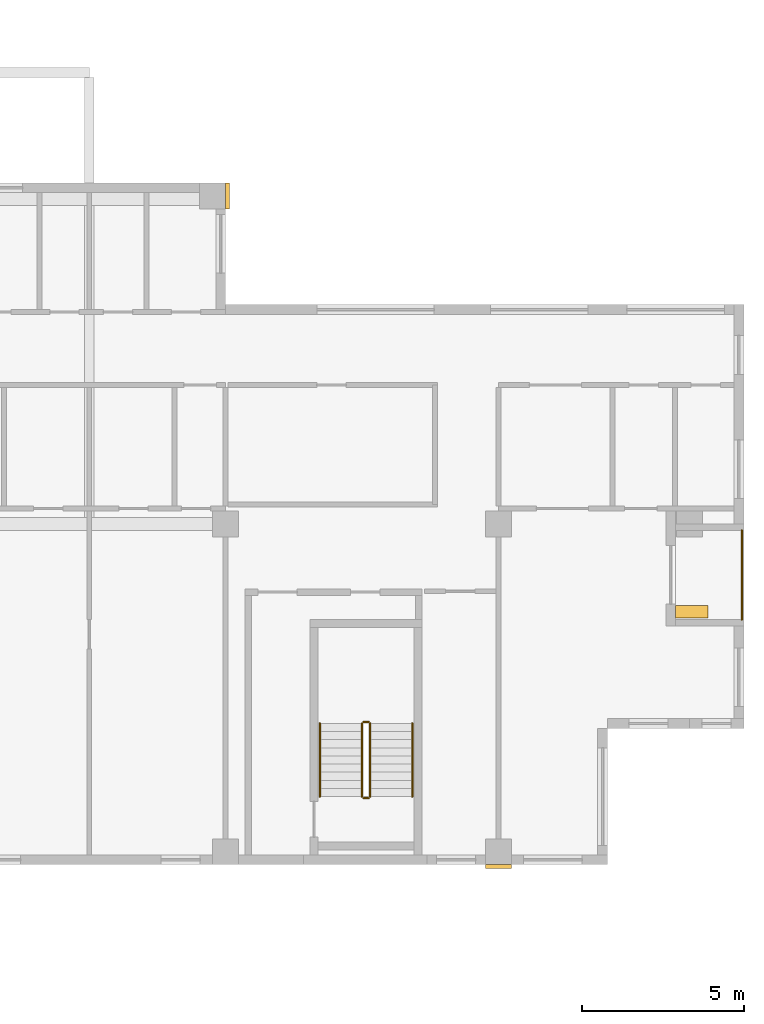
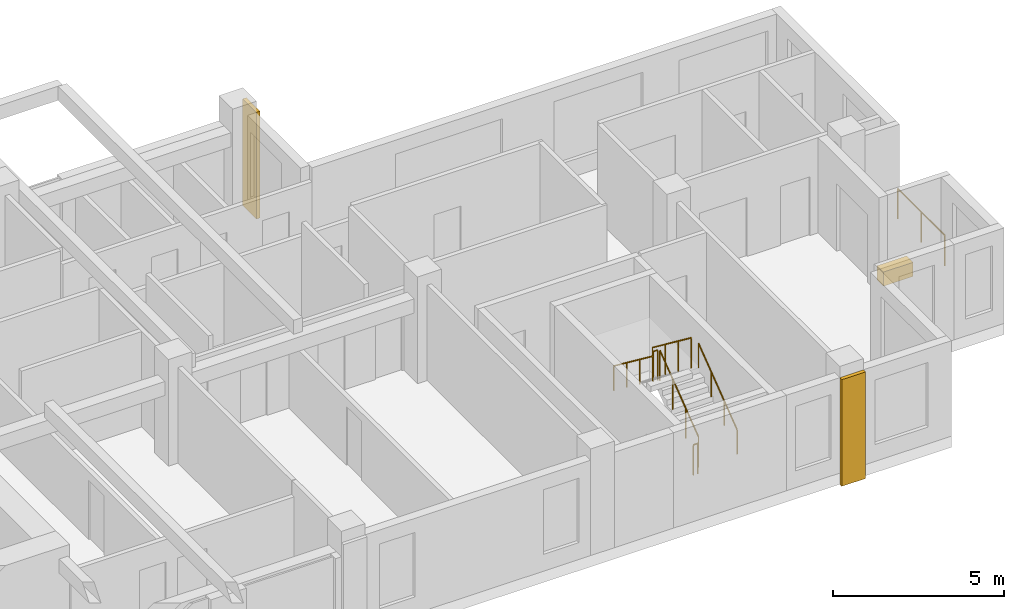
# One storey, part 11 of 12: 7 railings, 3 coverings.
"""IFC4 building model written with IfcOpenShell, lengths in metres."""

from ifc_helpers import new_model, si_unit, direction, frame, origin, origin_2d, place, context, subcontext, project, spatial, rectangle, circle, extrude, source, transform, mapped, material, type_object, element, save


model = new_model("IFC4")

# Units and contexts
model_context = context("Model", 3, precision=1e-05, world=origin(), true_north=direction((0.0, 1.0)))
body_context = subcontext(model_context, "Body", "Model", "MODEL_VIEW")
ifc_project = project(units=[si_unit("LENGTHUNIT", "METRE"), si_unit("AREAUNIT", "SQUARE_METRE"), si_unit("VOLUMEUNIT", "CUBIC_METRE"), si_unit("PLANEANGLEUNIT", "RADIAN"), si_unit("MASSUNIT", "GRAM", prefix="KILO")], contexts=[model_context])

# Site, building, storey
site_placement = place(None, origin())
site = spatial("IfcSite", under=ifc_project, at=site_placement, CompositionType="ELEMENT")
building_placement = place(site_placement, origin())
building = spatial("IfcBuilding", under=site, at=building_placement, Name="Aurelian Terraces", CompositionType="ELEMENT")
storey_placement = place(building_placement, frame((0.0, 0.0, 238.6)))
storey = spatial("IfcBuildingStorey", under=building, at=storey_placement, Name="L54", CompositionType="ELEMENT", Elevation=238.6)

# Railing
ifc_material_1 = material(Name="Anodised aluminium", Category="aluminium")
railing_type_1 = type_object("IfcRailingType", Name="GUARD-1100", PredefinedType="GUARDRAIL", material=ifc_material_1)
shared_shape_1 = source(origin(), body_context, "Body", "SweptSolid", [
    extrude(circle(Radius=0.024, at=origin_2d()), frame((0.0, 0.0, 1.076), z_axis=(0.0, 1.0, 0.0), x_axis=(-1.0, 0.0, 0.0)), (0.0, 0.0, 1.0), 2.75),
    extrude(circle(Radius=0.021, at=origin_2d()), origin(), (0.0, 0.0, 1.0), 1.052),
    extrude(circle(Radius=0.021, at=origin_2d()), frame((0.0, 1.375, 0.0)), (0.0, 0.0, 1.0), 1.052),
    extrude(circle(Radius=0.021, at=origin_2d()), frame((0.0, 2.75, 0.0)), (0.0, 0.0, 1.0), 1.052),
])
railing_1_placement = place(storey_placement, frame((53.7, 7.55, 0.05)))
element("IfcRailing", 1, at=railing_1_placement, inside=storey, type_object=railing_type_1, Name="Loggia guard L54 F04.12", PredefinedType="GUARDRAIL", context=body_context, shape_type="MappedRepresentation", body=[
    mapped(shared_shape_1, transform((0.0, 0.0, 0.0), scale=1.0)),
])

# Coverings
ifc_material_2 = material(Name="Terracotta planter with planting soil", Category="masonry")
covering_type_1 = type_object("IfcCoveringType", Name="PLANTER-TROUGH", PredefinedType="USERDEFINED", material=ifc_material_2)
shared_shape_2 = source(origin(), body_context, "Body", "SweptSolid", [
    extrude(rectangle(XDim=1.0, YDim=0.38, at=origin_2d()), origin(), (0.0, 0.0, 1.0), 0.5),
])
covering_1_placement = place(storey_placement, frame((52.16, 7.79, 0.0), z_axis=(0.0, 0.0, 1.0), x_axis=(1.0, 0.0, 0.0)))
element("IfcCovering", 2, at=covering_1_placement, inside=storey, type_object=covering_type_1, Name="PLANTER L54 L54-F04-12", ObjectType="PLANTER", PredefinedType="USERDEFINED", context=body_context, shape_type="MappedRepresentation", body=[
    mapped(shared_shape_2, transform((0.0, 0.0, 0.0), scale=1.0)),
])
ifc_material_3 = material(Name="Terracotta rainscreen cladding relief", Category="masonry")
covering_type_2 = type_object("IfcCoveringType", Name="BAGUETTE-TC", PredefinedType="CLADDING", material=ifc_material_3)
shared_shape_3 = source(origin(), body_context, "Body", "SweptSolid", [
    extrude(rectangle(XDim=0.8, YDim=0.12, at=origin_2d()), origin(), (0.0, 0.0, 1.0), 3.8),
])
covering_2_placement = place(storey_placement, frame((46.2, -0.06, -0.4), z_axis=(0.0, 0.0, 1.0), x_axis=(1.0, 0.0, 0.0)))
element("IfcCovering", 3, at=covering_2_placement, inside=storey, type_object=covering_type_2, Name="BAGUETTE pier L54 3", PredefinedType="CLADDING", context=body_context, shape_type="MappedRepresentation", body=[
    mapped(shared_shape_3, transform((0.0, 0.0, 0.0), scale=1.0)),
])
shared_shape_4 = source(origin(), body_context, "Body", "SweptSolid", [
    extrude(rectangle(XDim=0.12, YDim=0.8, at=origin_2d()), origin(), (0.0, 0.0, 1.0), 3.8),
])
covering_3_placement = place(storey_placement, frame((37.86, 20.6, -0.4), z_axis=(0.0, 0.0, 1.0), x_axis=(1.0, 0.0, 0.0)))
element("IfcCovering", 4, at=covering_3_placement, inside=storey, type_object=covering_type_2, Name="BAGUETTE pier L54 5", PredefinedType="CLADDING", context=body_context, shape_type="MappedRepresentation", body=[
    mapped(shared_shape_4, transform((0.0, 0.0, 0.0), scale=1.0)),
])

# Railings
ifc_material_4 = material(Name="Stainless steel", Category="steel")
railing_type_2 = type_object("IfcRailingType", Name="Stair guard 1100", PredefinedType="GUARDRAIL", material=ifc_material_4)
shared_shape_5 = source(origin(), body_context, "Body", "SweptSolid", [
    extrude(circle(Radius=0.024, at=origin_2d()), frame((0.0, 0.0, 1.076), z_axis=(-1.0, 0.0, 0.0), x_axis=(0.0, -1.0, 0.0)), (0.0, 0.0, 1.0), 0.15),
    extrude(circle(Radius=0.021, at=origin_2d()), origin(), (0.0, 0.0, 1.0), 1.052),
    extrude(circle(Radius=0.021, at=origin_2d()), frame((-0.15, 0.0, 0.0)), (0.0, 0.0, 1.0), 1.052),
])
for number, where, name in (
    (5, (42.2, 4.4, 1.9), "L54 S2 stair guard 2"),
    (6, (42.2, 2.05, 0.0), "L54 S2 stair guard 4"),
):
    element("IfcRailing", number, at=place(storey_placement, frame(where)), inside=storey, type_object=railing_type_2, Name=name, PredefinedType="GUARDRAIL", context=body_context, shape_type="MappedRepresentation", body=[
        mapped(shared_shape_5, transform((0.0, 0.0, 0.0), scale=1.0)),
    ])
shared_shape_6 = source(origin(), body_context, "Body", "SweptSolid", [
    extrude(circle(Radius=0.024, at=origin_2d()), frame((0.0, 0.0, 1.076), z_axis=(0.0, 0.796162194123, 0.605083267534), x_axis=(-1.0, 0.0, 0.0)), (0.0, 0.0, 1.0), 2.8261),
    extrude(circle(Radius=0.021, at=origin_2d()), origin(), (0.0, 0.0, 1.0), 1.052),
    extrude(circle(Radius=0.021, at=origin_2d()), frame((0.0, 0.75, 0.57)), (0.0, 0.0, 1.0), 1.052),
    extrude(circle(Radius=0.021, at=origin_2d()), frame((0.0, 1.5, 1.14)), (0.0, 0.0, 1.0), 1.052),
    extrude(circle(Radius=0.021, at=origin_2d()), frame((0.0, 2.25, 1.71)), (0.0, 0.0, 1.0), 1.052),
])
railing_2_placement = place(storey_placement, frame((42.25, 2.1, 0.19)))
element("IfcRailing", 7, at=railing_2_placement, inside=storey, type_object=railing_type_2, Name="L54 S2 stair guard 1", PredefinedType="GUARDRAIL", context=body_context, shape_type="MappedRepresentation", body=[
    mapped(shared_shape_6, transform((0.0, 0.0, 0.0), scale=1.0)),
])
shared_shape_7 = source(origin(), body_context, "Body", "SweptSolid", [
    extrude(circle(Radius=0.024, at=origin_2d()), frame((0.0, 0.0, 1.076), z_axis=(0.0, -0.796162194123, 0.605083267534), x_axis=(1.0, 0.0, 0.0)), (0.0, 0.0, 1.0), 2.8261),
    extrude(circle(Radius=0.021, at=origin_2d()), origin(), (0.0, 0.0, 1.0), 1.052),
    extrude(circle(Radius=0.021, at=origin_2d()), frame((0.0, -0.75, 0.57)), (0.0, 0.0, 1.0), 1.052),
    extrude(circle(Radius=0.021, at=origin_2d()), frame((0.0, -1.5, 1.14)), (0.0, 0.0, 1.0), 1.052),
    extrude(circle(Radius=0.021, at=origin_2d()), frame((0.0, -2.25, 1.71)), (0.0, 0.0, 1.0), 1.052),
])
railing_3_placement = place(storey_placement, frame((42.0, 4.35, 2.09)))
element("IfcRailing", 8, at=railing_3_placement, inside=storey, type_object=railing_type_2, Name="L54 S2 stair guard 3", PredefinedType="GUARDRAIL", context=body_context, shape_type="MappedRepresentation", body=[
    mapped(shared_shape_7, transform((0.0, 0.0, 0.0), scale=1.0)),
])
railing_type_3 = type_object("IfcRailingType", Name="Stair handrail", PredefinedType="HANDRAIL", material=ifc_material_4)
shared_shape_8 = source(origin(), body_context, "Body", "SweptSolid", [
    extrude(circle(Radius=0.024, at=origin_2d()), frame((0.0, 0.0, 0.876), z_axis=(0.0, 0.796162194123, 0.605083267534), x_axis=(-1.0, 0.0, 0.0)), (0.0, 0.0, 1.0), 2.8261),
    extrude(circle(Radius=0.021, at=origin_2d()), origin(), (0.0, 0.0, 1.0), 0.852),
    extrude(circle(Radius=0.021, at=origin_2d()), frame((0.0, 0.75, 0.57)), (0.0, 0.0, 1.0), 0.852),
    extrude(circle(Radius=0.021, at=origin_2d()), frame((0.0, 1.5, 1.14)), (0.0, 0.0, 1.0), 0.852),
    extrude(circle(Radius=0.021, at=origin_2d()), frame((0.0, 2.25, 1.71)), (0.0, 0.0, 1.0), 0.852),
])
railing_4_placement = place(storey_placement, frame((43.55, 2.1, 0.19)))
element("IfcRailing", 9, at=railing_4_placement, inside=storey, type_object=railing_type_3, Name="L54 S2 stair handrail 1", PredefinedType="HANDRAIL", context=body_context, shape_type="MappedRepresentation", body=[
    mapped(shared_shape_8, transform((0.0, 0.0, 0.0), scale=1.0)),
])
shared_shape_9 = source(origin(), body_context, "Body", "SweptSolid", [
    extrude(circle(Radius=0.024, at=origin_2d()), frame((0.0, 0.0, 0.876), z_axis=(0.0, -0.796162194123, 0.605083267534), x_axis=(1.0, 0.0, 0.0)), (0.0, 0.0, 1.0), 2.8261),
    extrude(circle(Radius=0.021, at=origin_2d()), origin(), (0.0, 0.0, 1.0), 0.852),
    extrude(circle(Radius=0.021, at=origin_2d()), frame((0.0, -0.75, 0.57)), (0.0, 0.0, 1.0), 0.852),
    extrude(circle(Radius=0.021, at=origin_2d()), frame((0.0, -1.5, 1.14)), (0.0, 0.0, 1.0), 0.852),
    extrude(circle(Radius=0.021, at=origin_2d()), frame((0.0, -2.25, 1.71)), (0.0, 0.0, 1.0), 0.852),
])
railing_5_placement = place(storey_placement, frame((40.7, 4.35, 2.09)))
element("IfcRailing", 10, at=railing_5_placement, inside=storey, type_object=railing_type_3, Name="L54 S2 stair handrail 2", PredefinedType="HANDRAIL", context=body_context, shape_type="MappedRepresentation", body=[
    mapped(shared_shape_9, transform((0.0, 0.0, 0.0), scale=1.0)),
])

save(model, "model.ifc")
